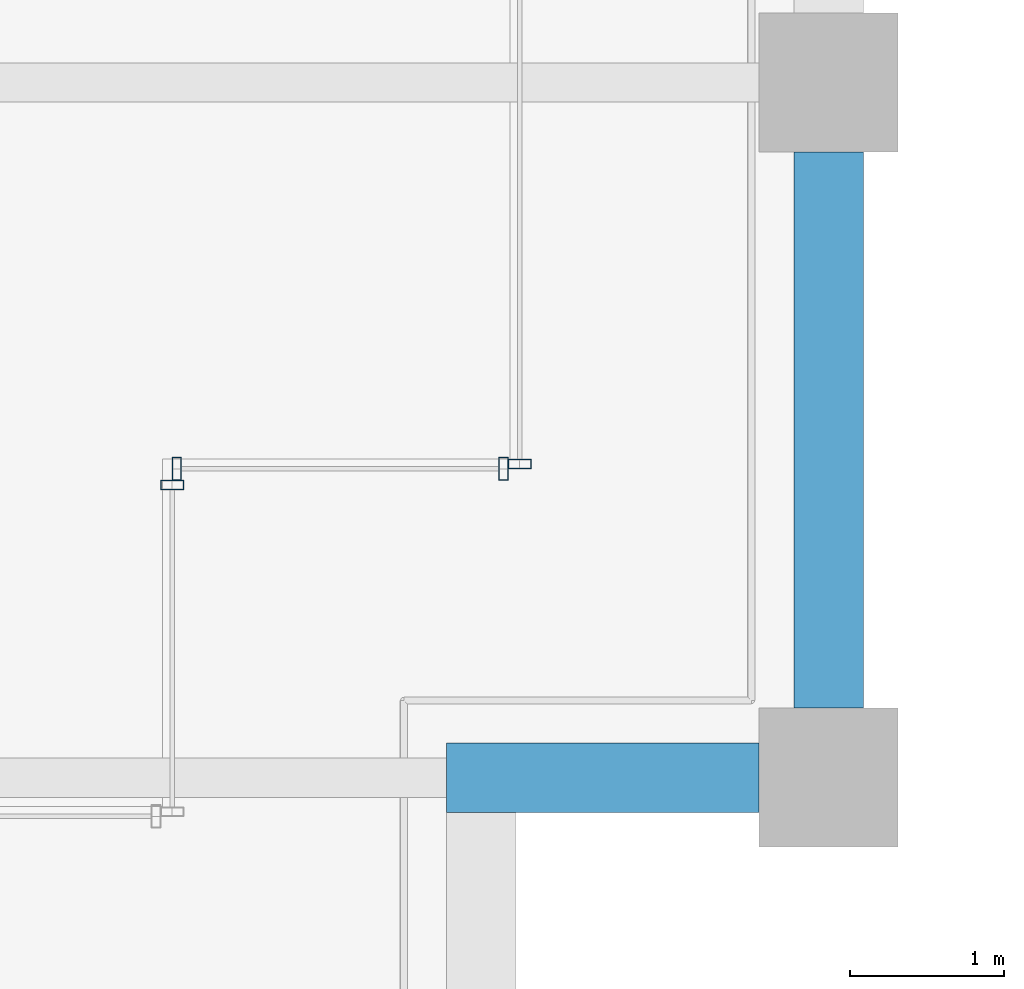
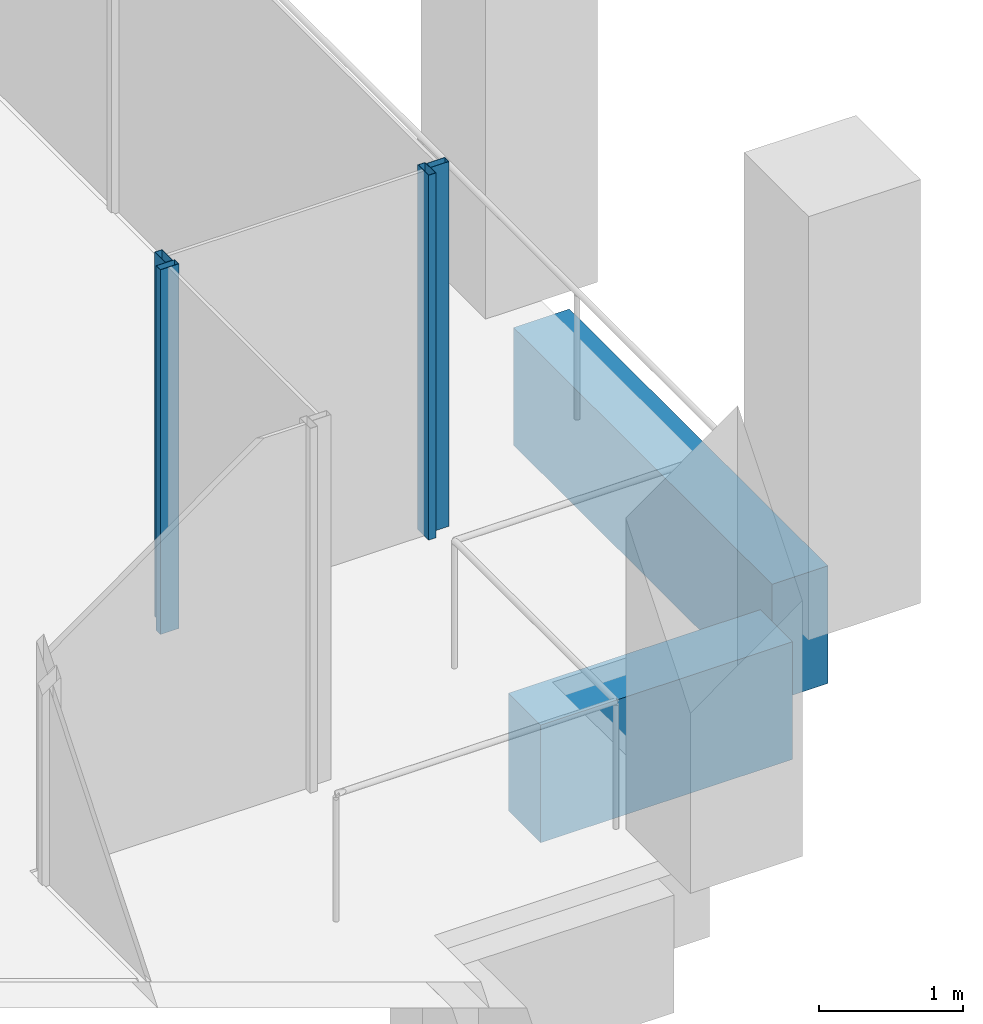
# One storey, part 13 of 40: 4 members, 2 beams, 3 elements without a shape of their own.
"""IFC4 building model written with IfcOpenShell, lengths in metres."""

from ifc_helpers import new_model, si_unit, direction, frame, origin, origin_2d, place, context, subcontext, project, spatial, rectangle, hollow_rectangle, extrude, material, material_profile, profile_set, type_object, element, aggregate, save


model = new_model("IFC4")

# Units and contexts
model_context = context("Model", 3, precision=1e-05, world=origin(), true_north=direction((0.0, 1.0)))
body_context = subcontext(model_context, "Body", "Model", "MODEL_VIEW")
ifc_project = project(units=[si_unit("LENGTHUNIT", "METRE"), si_unit("AREAUNIT", "SQUARE_METRE"), si_unit("VOLUMEUNIT", "CUBIC_METRE"), si_unit("PLANEANGLEUNIT", "RADIAN"), si_unit("MASSUNIT", "GRAM", prefix="KILO")], contexts=[model_context])

# Site, building, storey
site_placement = place(None, origin())
site = spatial("IfcSite", under=ifc_project, at=site_placement, CompositionType="ELEMENT")
building_placement = place(site_placement, origin())
building = spatial("IfcBuilding", under=site, at=building_placement, Name="Altepetl Exchange Towers", CompositionType="ELEMENT")
storey_placement = place(building_placement, frame((0.0, 0.0, 158.199951171875)))
storey = spatial("IfcBuildingStorey", under=building, at=storey_placement, Name="L39", CompositionType="ELEMENT", Elevation=158.199951171875)

# Curtain wall, member
ifc_material_1 = material(Name="Aluminium 6063-T6 glazing", Category="aluminium")
curtain_wall_type = type_object("IfcCurtainWallType", Name="Loggia glazing system", PredefinedType="NOTDEFINED", material=ifc_material_1)
curtain_wall_1_placement = place(storey_placement, origin())
curtain_wall_1 = element("IfcCurtainWall", 1, at=curtain_wall_1_placement, inside=storey, type_object=curtain_wall_type, Name="CW1 run", PredefinedType="NOTDEFINED")
ifc_material_2 = material(Name="Aluminium 6063-T6", Category="aluminium")
ifc_material_profile_1 = material_profile(ifc_material_2, hollow_rectangle(XDim=0.06005859375, YDim=0.14990234375, WallThickness=0.0029296875, at=origin_2d()), Name="Mullion 60x150 aluminium")
ifc_profile_set_1 = profile_set([ifc_material_profile_1], Name="Aluminium 6063-T6")
member_type = type_object("IfcMemberType", Name="Mullion 60x150 aluminium", PredefinedType="MULLION", material=ifc_profile_set_1)
member_1_placement = place(storey_placement, frame((67.75, 33.39501953125, 0.0), z_axis=(0.0, 0.0, 1.0), x_axis=(0.0, 1.0, 0.0)))
member_1 = element("IfcMember", 2, at=member_1_placement, type_object=member_type, Name="MU1 mullion", PredefinedType="MULLION", context=body_context, shape_type="SweptSolid", body=[
    extrude(hollow_rectangle(XDim=0.06005859375, YDim=0.14990234375, WallThickness=0.0029296875, at=origin_2d()), origin(), (0.0, 0.0, 1.0), 3.10009765625),
])
aggregate(curtain_wall_1, [member_1])

# Curtain wall, members
curtain_wall_2_placement = place(storey_placement, origin())
curtain_wall_2 = element("IfcCurtainWall", 3, at=curtain_wall_2_placement, inside=storey, type_object=curtain_wall_type, Name="CW1 run", PredefinedType="NOTDEFINED")
member_2_placement = place(storey_placement, frame((67.780029296875, 33.5, 0.0)))
member_2 = element("IfcMember", 4, at=member_2_placement, type_object=member_type, Name="MU1 mullion", PredefinedType="MULLION", context=body_context, shape_type="SweptSolid", body=[
    extrude(hollow_rectangle(XDim=0.06005859375, YDim=0.14990234375, WallThickness=0.0029296875, at=origin_2d()), origin(), (0.0, 0.0, 1.0), 3.10009765625),
])
member_3_placement = place(storey_placement, frame((69.89501953125, 33.5, 0.0)))
member_3 = element("IfcMember", 5, at=member_3_placement, type_object=member_type, Name="MU1 mullion", PredefinedType="MULLION", context=body_context, shape_type="SweptSolid", body=[
    extrude(hollow_rectangle(XDim=0.06005859375, YDim=0.14990234375, WallThickness=0.0029296875, at=origin_2d()), origin(), (0.0, 0.0, 1.0), 3.10009765625),
])
aggregate(curtain_wall_2, [member_2, member_3])

# Curtain wall, member
curtain_wall_3_placement = place(storey_placement, origin())
curtain_wall_3 = element("IfcCurtainWall", 6, at=curtain_wall_3_placement, inside=storey, type_object=curtain_wall_type, Name="CW1 run", PredefinedType="NOTDEFINED")
member_4_placement = place(storey_placement, frame((70.0, 33.530029296875, 0.0), z_axis=(0.0, 0.0, 1.0), x_axis=(0.0, 1.0, 0.0)))
member_4 = element("IfcMember", 7, at=member_4_placement, type_object=member_type, Name="MU1 mullion", PredefinedType="MULLION", context=body_context, shape_type="SweptSolid", body=[
    extrude(hollow_rectangle(XDim=0.06005859375, YDim=0.14990234375, WallThickness=0.0029296875, at=origin_2d()), origin(), (0.0, 0.0, 1.0), 3.10009765625),
])
aggregate(curtain_wall_3, [member_4])

# Beams
ifc_material_3 = material(Name="Concrete C50/60 precast with cantera amarilla facing", Category="concrete")
ifc_material_profile_2 = material_profile(ifc_material_3, rectangle(XDim=0.449951171875, YDim=1.0, at=origin_2d()), Name="450 x 1000")
ifc_profile_set_2 = profile_set([ifc_material_profile_2], Name="Concrete C50/60 precast with cantera amarilla facing")
beam_type = type_object("IfcBeamType", Name="Spandrel beam 450x1000 cantera amarilla", PredefinedType="SPANDREL", material=ifc_profile_set_2)
beam_1_placement = place(storey_placement, frame((69.52490234375, 31.5, -0.64990234375), z_axis=(1.0, 0.0, 0.0), x_axis=(0.0, 1.0, 0.0)))
element("IfcBeam", 8, at=beam_1_placement, inside=storey, type_object=beam_type, Name="sp:A:L39:011", PredefinedType="SPANDREL", context=body_context, shape_type="SweptSolid", body=[
    extrude(rectangle(XDim=0.449951171875, YDim=1.0, at=origin_2d()), origin(), (0.0, 0.0, 1.0), 2.025146484375),
])
beam_2_placement = place(storey_placement, frame((72.0, 31.949951171875, -0.64990234375), z_axis=(0.0, 1.0, 0.0), x_axis=(-1.0, 0.0, 0.0)))
element("IfcBeam", 9, at=beam_2_placement, inside=storey, type_object=beam_type, Name="sp:A:L39:012", PredefinedType="SPANDREL", context=body_context, shape_type="SweptSolid", body=[
    extrude(rectangle(XDim=0.449951171875, YDim=1.0, at=origin_2d()), origin(), (0.0, 0.0, 1.0), 3.60009765625),
])

save(model, "model.ifc")
